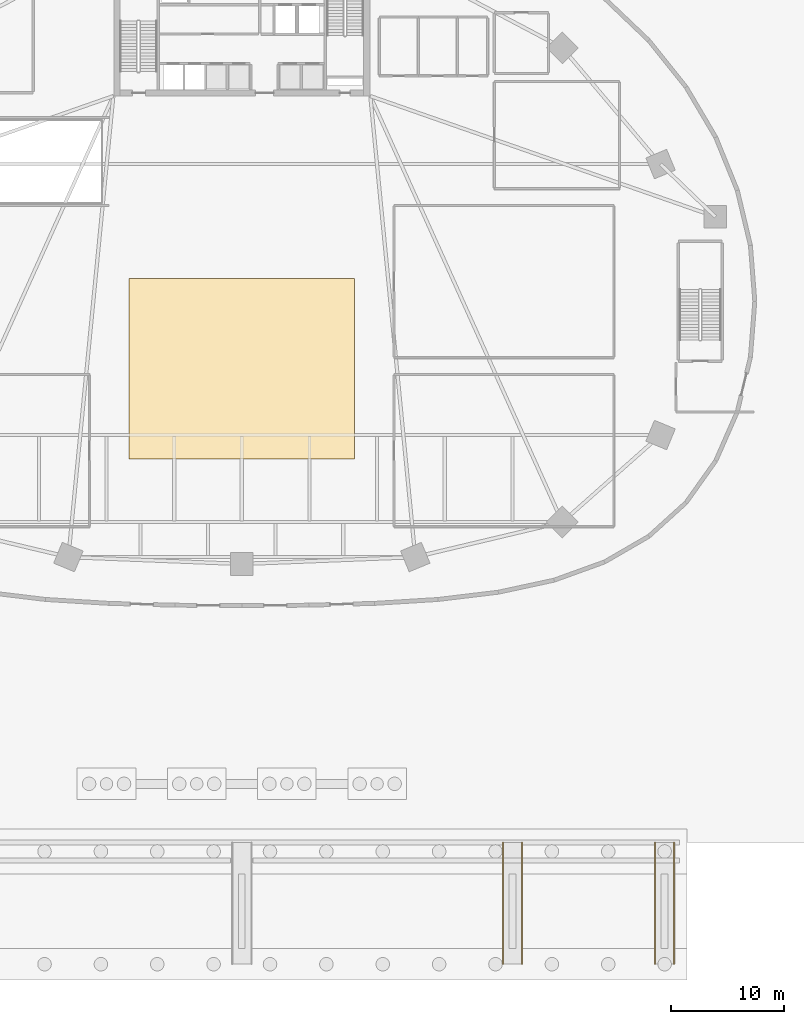
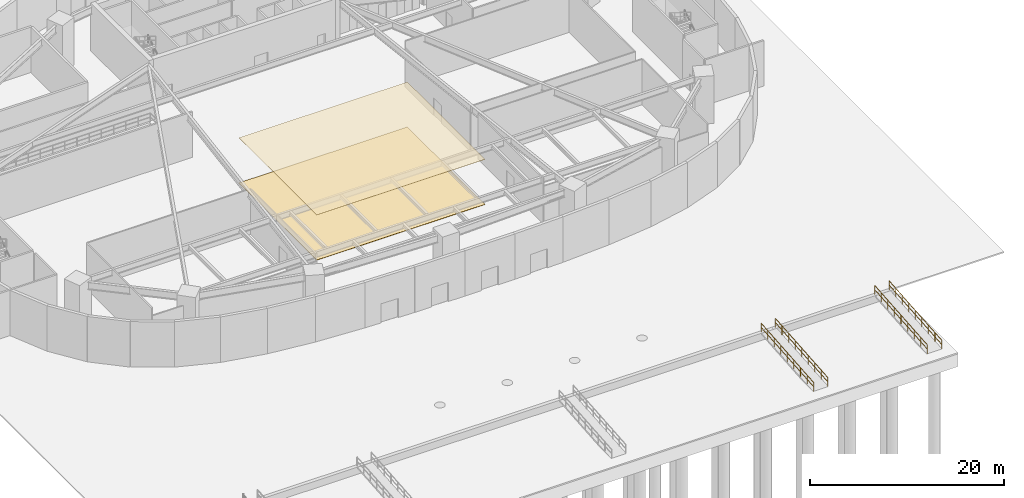
# One storey, part 10 of 14: 4 railings, 2 coverings.
"""IFC4 building model written with IfcOpenShell, lengths in metres."""

from ifc_helpers import new_model, si_unit, direction, frame, origin, origin_2d, place, context, subcontext, project, spatial, polyline, rectangle, outline, extrude, material, layer, layer_set, type_object, element, save


model = new_model("IFC4")

# Units and contexts
model_context = context("Model", 3, precision=1e-05, world=origin(), true_north=direction((0.0, 1.0)))
body_context = subcontext(model_context, "Body", "Model", "MODEL_VIEW")
ifc_project = project(units=[si_unit("LENGTHUNIT", "METRE"), si_unit("AREAUNIT", "SQUARE_METRE"), si_unit("VOLUMEUNIT", "CUBIC_METRE"), si_unit("PLANEANGLEUNIT", "RADIAN"), si_unit("MASSUNIT", "GRAM", prefix="KILO")], contexts=[model_context])

# Site, building, storey
site_placement = place(None, origin())
site = spatial("IfcSite", under=ifc_project, at=site_placement, CompositionType="ELEMENT")
building_placement = place(site_placement, origin())
building = spatial("IfcBuilding", under=site, at=building_placement, Name="Breltana Convention Tower", CompositionType="ELEMENT")
storey_placement = place(building_placement, origin())
storey = spatial("IfcBuildingStorey", under=building, at=storey_placement, Name="L00", CompositionType="ELEMENT", Elevation=0.0)

# Coverings
ifc_material_1 = material(Name="Gypsum Micro-Perforated Acoustic Ceiling")
ifc_layer_1 = layer(ifc_material_1, 0.044921875, Name="Gypsum Micro-Perforated Acoustic Ceiling")
ifc_layer_set_1 = layer_set([ifc_layer_1], Name="Gypsum Micro-Perforated Acoustic Ceiling")
covering_type_1 = type_object("IfcCoveringType", Name="COV-CEIL-ACOUSTIC-45", PredefinedType="CEILING", material=ifc_layer_set_1)
covering_1_placement = place(storey_placement, frame((0.0, 0.0, 5.655029296875)))
element("IfcCovering", 1, at=covering_1_placement, inside=storey, type_object=covering_type_1, Name="L00 hall acoustic ceiling 1", PredefinedType="CEILING", context=body_context, shape_type="SweptSolid", body=[
    extrude(outline(polyline([(38.0, 28.0), (58.0, 28.0), (58.0, 44.0), (38.0, 44.0), (38.0, 28.0)])), origin(), (0.0, 0.0, 1.0), 0.044921875),
])
ifc_material_2 = material(Name="Warm Buff Limestone Terrazzo Flooring", Category="masonry")
ifc_layer_2 = layer(ifc_material_2, 0.034912109375, Name="Warm Buff Limestone Terrazzo Flooring")
ifc_layer_set_2 = layer_set([ifc_layer_2], Name="Warm Buff Limestone Terrazzo Flooring")
covering_type_2 = type_object("IfcCoveringType", Name="COV-FLOOR-TERRAZZO-35", PredefinedType="FLOORING", material=ifc_layer_set_2)
covering_2_placement = place(storey_placement, origin())
element("IfcCovering", 2, at=covering_2_placement, inside=storey, type_object=covering_type_2, Name="L00 hall limestone terrazzo flooring 1", PredefinedType="FLOORING", context=body_context, shape_type="SweptSolid", body=[
    extrude(outline(polyline([(38.0, 28.0), (58.0, 28.0), (58.0, 44.0), (38.0, 44.0), (38.0, 28.0)])), origin(), (0.0, 0.0, 1.0), 0.034912109375),
])

# Railings
ifc_material_3 = material(Name="Steel S275 Painted", Category="steel")
railing_type = type_object("IfcRailingType", Name="RL-STAIR-GUARD-1100", PredefinedType="GUARDRAIL", material=ifc_material_3)
railing_1_placement = place(storey_placement, frame((71.14990234375, -16.800048828125, -0.89990234375)))
element("IfcRailing", 3, at=railing_1_placement, inside=storey, type_object=railing_type, Name="Accessible ramp 4 safety guard L", PredefinedType="GUARDRAIL", context=body_context, shape_type="SweptSolid", body=[
    extrude(rectangle(XDim=0.048095703125, YDim=0.048095703125, at=origin_2d()), frame((0.0, 0.0, 1.1259765625), z_axis=(0.0, 0.99654653501, 0.083036158149), x_axis=(-1.0, 0.0, 0.0)), (0.0, 0.0, 1.0), 10.83740234375),
    extrude(rectangle(XDim=0.048095703125, YDim=0.048095703125, at=origin_2d()), frame((0.0, 0.0, 0.597900390625), z_axis=(0.0, 0.99654653501, 0.083036158149), x_axis=(-1.0, 0.0, 0.0)), (0.0, 0.0, 1.0), 10.83740234375),
    extrude(rectangle(XDim=0.0419921875, YDim=0.0419921875, at=origin_2d()), origin(), (0.0, 0.0, 1.0), 1.101806640625),
    extrude(rectangle(XDim=0.0419921875, YDim=0.0419921875, at=origin_2d()), frame((0.0, 1.35009765625, 0.112548828125)), (0.0, 0.0, 1.0), 1.101806640625),
    extrude(rectangle(XDim=0.0419921875, YDim=0.0419921875, at=origin_2d()), frame((0.0, 2.699951171875, 0.22509765625)), (0.0, 0.0, 1.0), 1.101806640625),
    extrude(rectangle(XDim=0.0419921875, YDim=0.0419921875, at=origin_2d()), frame((0.0, 4.050048828125, 0.33740234375)), (0.0, 0.0, 1.0), 1.101806640625),
    extrude(rectangle(XDim=0.0419921875, YDim=0.0419921875, at=origin_2d()), frame((0.0, 5.39990234375, 0.449951171875)), (0.0, 0.0, 1.0), 1.101806640625),
    extrude(rectangle(XDim=0.0419921875, YDim=0.0419921875, at=origin_2d()), frame((0.0, 6.75, 0.5625)), (0.0, 0.0, 1.0), 1.101806640625),
    extrude(rectangle(XDim=0.0419921875, YDim=0.0419921875, at=origin_2d()), frame((0.0, 8.10009765625, 0.6748046875)), (0.0, 0.0, 1.0), 1.101806640625),
    extrude(rectangle(XDim=0.0419921875, YDim=0.0419921875, at=origin_2d()), frame((0.0, 9.449951171875, 0.787353515625)), (0.0, 0.0, 1.0), 1.101806640625),
    extrude(rectangle(XDim=0.0419921875, YDim=0.0419921875, at=origin_2d()), frame((0.0, 10.800048828125, 0.89990234375)), (0.0, 0.0, 1.0), 1.101806640625),
])
railing_2_placement = place(storey_placement, frame((72.85009765625, -16.800048828125, -0.89990234375)))
element("IfcRailing", 4, at=railing_2_placement, inside=storey, type_object=railing_type, Name="Accessible ramp 4 safety guard R", PredefinedType="GUARDRAIL", context=body_context, shape_type="SweptSolid", body=[
    extrude(rectangle(XDim=0.048095703125, YDim=0.048095703125, at=origin_2d()), frame((0.0, 0.0, 1.1259765625), z_axis=(0.0, 0.99654653501, 0.083036158149), x_axis=(-1.0, 0.0, 0.0)), (0.0, 0.0, 1.0), 10.83740234375),
    extrude(rectangle(XDim=0.048095703125, YDim=0.048095703125, at=origin_2d()), frame((0.0, 0.0, 0.597900390625), z_axis=(0.0, 0.99654653501, 0.083036158149), x_axis=(-1.0, 0.0, 0.0)), (0.0, 0.0, 1.0), 10.83740234375),
    extrude(rectangle(XDim=0.0419921875, YDim=0.0419921875, at=origin_2d()), origin(), (0.0, 0.0, 1.0), 1.101806640625),
    extrude(rectangle(XDim=0.0419921875, YDim=0.0419921875, at=origin_2d()), frame((0.0, 1.35009765625, 0.112548828125)), (0.0, 0.0, 1.0), 1.101806640625),
    extrude(rectangle(XDim=0.0419921875, YDim=0.0419921875, at=origin_2d()), frame((0.0, 2.699951171875, 0.22509765625)), (0.0, 0.0, 1.0), 1.101806640625),
    extrude(rectangle(XDim=0.0419921875, YDim=0.0419921875, at=origin_2d()), frame((0.0, 4.050048828125, 0.33740234375)), (0.0, 0.0, 1.0), 1.101806640625),
    extrude(rectangle(XDim=0.0419921875, YDim=0.0419921875, at=origin_2d()), frame((0.0, 5.39990234375, 0.449951171875)), (0.0, 0.0, 1.0), 1.101806640625),
    extrude(rectangle(XDim=0.0419921875, YDim=0.0419921875, at=origin_2d()), frame((0.0, 6.75, 0.5625)), (0.0, 0.0, 1.0), 1.101806640625),
    extrude(rectangle(XDim=0.0419921875, YDim=0.0419921875, at=origin_2d()), frame((0.0, 8.10009765625, 0.6748046875)), (0.0, 0.0, 1.0), 1.101806640625),
    extrude(rectangle(XDim=0.0419921875, YDim=0.0419921875, at=origin_2d()), frame((0.0, 9.449951171875, 0.787353515625)), (0.0, 0.0, 1.0), 1.101806640625),
    extrude(rectangle(XDim=0.0419921875, YDim=0.0419921875, at=origin_2d()), frame((0.0, 10.800048828125, 0.89990234375)), (0.0, 0.0, 1.0), 1.101806640625),
])
railing_3_placement = place(storey_placement, frame((84.64990234375, -16.800048828125, -0.89990234375)))
element("IfcRailing", 5, at=railing_3_placement, inside=storey, type_object=railing_type, Name="Accessible ramp 5 safety guard L", PredefinedType="GUARDRAIL", context=body_context, shape_type="SweptSolid", body=[
    extrude(rectangle(XDim=0.048095703125, YDim=0.048095703125, at=origin_2d()), frame((0.0, 0.0, 1.1259765625), z_axis=(0.0, 0.99654653501, 0.083036158149), x_axis=(-1.0, 0.0, 0.0)), (0.0, 0.0, 1.0), 10.83740234375),
    extrude(rectangle(XDim=0.048095703125, YDim=0.048095703125, at=origin_2d()), frame((0.0, 0.0, 0.597900390625), z_axis=(0.0, 0.99654653501, 0.083036158149), x_axis=(-1.0, 0.0, 0.0)), (0.0, 0.0, 1.0), 10.83740234375),
    extrude(rectangle(XDim=0.0419921875, YDim=0.0419921875, at=origin_2d()), origin(), (0.0, 0.0, 1.0), 1.101806640625),
    extrude(rectangle(XDim=0.0419921875, YDim=0.0419921875, at=origin_2d()), frame((0.0, 1.35009765625, 0.112548828125)), (0.0, 0.0, 1.0), 1.101806640625),
    extrude(rectangle(XDim=0.0419921875, YDim=0.0419921875, at=origin_2d()), frame((0.0, 2.699951171875, 0.22509765625)), (0.0, 0.0, 1.0), 1.101806640625),
    extrude(rectangle(XDim=0.0419921875, YDim=0.0419921875, at=origin_2d()), frame((0.0, 4.050048828125, 0.33740234375)), (0.0, 0.0, 1.0), 1.101806640625),
    extrude(rectangle(XDim=0.0419921875, YDim=0.0419921875, at=origin_2d()), frame((0.0, 5.39990234375, 0.449951171875)), (0.0, 0.0, 1.0), 1.101806640625),
    extrude(rectangle(XDim=0.0419921875, YDim=0.0419921875, at=origin_2d()), frame((0.0, 6.75, 0.5625)), (0.0, 0.0, 1.0), 1.101806640625),
    extrude(rectangle(XDim=0.0419921875, YDim=0.0419921875, at=origin_2d()), frame((0.0, 8.10009765625, 0.6748046875)), (0.0, 0.0, 1.0), 1.101806640625),
    extrude(rectangle(XDim=0.0419921875, YDim=0.0419921875, at=origin_2d()), frame((0.0, 9.449951171875, 0.787353515625)), (0.0, 0.0, 1.0), 1.101806640625),
    extrude(rectangle(XDim=0.0419921875, YDim=0.0419921875, at=origin_2d()), frame((0.0, 10.800048828125, 0.89990234375)), (0.0, 0.0, 1.0), 1.101806640625),
])
railing_4_placement = place(storey_placement, frame((86.35009765625, -16.800048828125, -0.89990234375)))
element("IfcRailing", 6, at=railing_4_placement, inside=storey, type_object=railing_type, Name="Accessible ramp 5 safety guard R", PredefinedType="GUARDRAIL", context=body_context, shape_type="SweptSolid", body=[
    extrude(rectangle(XDim=0.048095703125, YDim=0.048095703125, at=origin_2d()), frame((0.0, 0.0, 1.1259765625), z_axis=(0.0, 0.99654653501, 0.083036158149), x_axis=(-1.0, 0.0, 0.0)), (0.0, 0.0, 1.0), 10.83740234375),
    extrude(rectangle(XDim=0.048095703125, YDim=0.048095703125, at=origin_2d()), frame((0.0, 0.0, 0.597900390625), z_axis=(0.0, 0.99654653501, 0.083036158149), x_axis=(-1.0, 0.0, 0.0)), (0.0, 0.0, 1.0), 10.83740234375),
    extrude(rectangle(XDim=0.0419921875, YDim=0.0419921875, at=origin_2d()), origin(), (0.0, 0.0, 1.0), 1.101806640625),
    extrude(rectangle(XDim=0.0419921875, YDim=0.0419921875, at=origin_2d()), frame((0.0, 1.35009765625, 0.112548828125)), (0.0, 0.0, 1.0), 1.101806640625),
    extrude(rectangle(XDim=0.0419921875, YDim=0.0419921875, at=origin_2d()), frame((0.0, 2.699951171875, 0.22509765625)), (0.0, 0.0, 1.0), 1.101806640625),
    extrude(rectangle(XDim=0.0419921875, YDim=0.0419921875, at=origin_2d()), frame((0.0, 4.050048828125, 0.33740234375)), (0.0, 0.0, 1.0), 1.101806640625),
    extrude(rectangle(XDim=0.0419921875, YDim=0.0419921875, at=origin_2d()), frame((0.0, 5.39990234375, 0.449951171875)), (0.0, 0.0, 1.0), 1.101806640625),
    extrude(rectangle(XDim=0.0419921875, YDim=0.0419921875, at=origin_2d()), frame((0.0, 6.75, 0.5625)), (0.0, 0.0, 1.0), 1.101806640625),
    extrude(rectangle(XDim=0.0419921875, YDim=0.0419921875, at=origin_2d()), frame((0.0, 8.10009765625, 0.6748046875)), (0.0, 0.0, 1.0), 1.101806640625),
    extrude(rectangle(XDim=0.0419921875, YDim=0.0419921875, at=origin_2d()), frame((0.0, 9.449951171875, 0.787353515625)), (0.0, 0.0, 1.0), 1.101806640625),
    extrude(rectangle(XDim=0.0419921875, YDim=0.0419921875, at=origin_2d()), frame((0.0, 10.800048828125, 0.89990234375)), (0.0, 0.0, 1.0), 1.101806640625),
])

save(model, "model.ifc")
